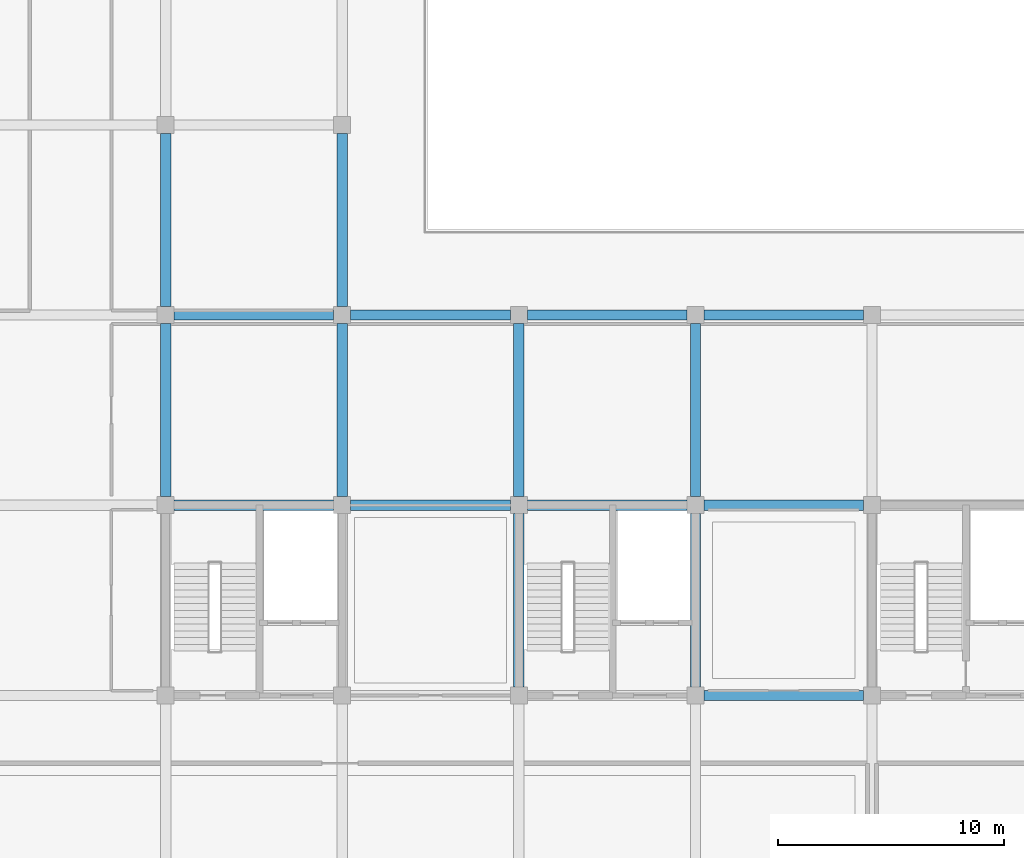
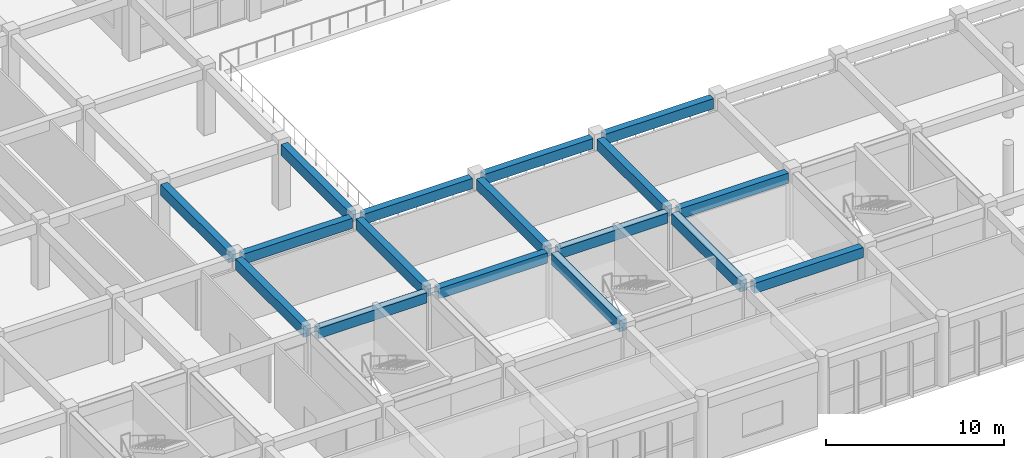
# One storey, part 29 of 167: 17 beams.
"""IFC4 building model written with IfcOpenShell, lengths in metres."""

from ifc_helpers import new_model, si_unit, direction, frame, origin, origin_2d, place, context, subcontext, project, spatial, rectangle, extrude, material, material_profile, profile_set, type_object, element, save


model = new_model("IFC4")

# Units and contexts
model_context = context("Model", 3, precision=1e-05, world=origin(), true_north=direction((0.0, 1.0)))
body_context = subcontext(model_context, "Body", "Model", "MODEL_VIEW")
ifc_project = project(units=[si_unit("LENGTHUNIT", "METRE"), si_unit("AREAUNIT", "SQUARE_METRE"), si_unit("VOLUMEUNIT", "CUBIC_METRE"), si_unit("PLANEANGLEUNIT", "RADIAN"), si_unit("MASSUNIT", "GRAM", prefix="KILO")], contexts=[model_context])

# Site, building, storey
site_placement = place(None, origin())
site = spatial("IfcSite", under=ifc_project, at=site_placement, CompositionType="ELEMENT")
building_placement = place(site_placement, origin())
building = spatial("IfcBuilding", under=site, at=building_placement, Name="Zizhar Promenade General Hospital", CompositionType="ELEMENT")
storey_placement = place(building_placement, frame((0.0, 0.0, 9.60009765625)))
storey = spatial("IfcBuildingStorey", under=building, at=storey_placement, Name="L02", CompositionType="ELEMENT", Elevation=9.60009765625)

# Beams
ifc_material_1 = material(Name="Concrete C35/45", Category="concrete")
ifc_material_profile_1 = material_profile(ifc_material_1, rectangle(XDim=0.449951171875, YDim=0.699951171875, at=origin_2d()))
ifc_profile_set_1 = profile_set([ifc_material_profile_1], Name="Concrete C35/45")
beam_type_1 = type_object("IfcBeamType", Name="BM-RC-450x700", PredefinedType="BEAM", material=ifc_profile_set_1)
for number, where, z_axis, x_axis, name in (
    (1, (62.77490234375, 16.800048828125, 4.119873046875), (1.0, 0.0, 0.0), (0.0, 1.0, 0.0), "Grid Beam X L02 (8-2)"),
    (2, (62.77490234375, 25.199951171875, 4.119873046875), (1.0, 0.0, 0.0), (0.0, 1.0, 0.0), "Grid Beam X L02 (8-3)"),
    (3, (70.574951171875, 16.800048828125, 4.119873046875), (1.0, 0.0, 0.0), (0.0, 1.0, 0.0), "Grid Beam X L02 (9-2)"),
    (4, (70.574951171875, 25.199951171875, 4.119873046875), (1.0, 0.0, 0.0), (0.0, 1.0, 0.0), "Grid Beam X L02 (9-3)"),
    (5, (78.375, 16.800048828125, 4.119873046875), (1.0, 0.0, 0.0), (0.0, 1.0, 0.0), "Grid Beam X L02 (10-2)"),
    (6, (78.375, 25.199951171875, 4.119873046875), (1.0, 0.0, 0.0), (0.0, 1.0, 0.0), "Grid Beam X L02 (10-3)"),
    (7, (86.175048828125, 8.39990234375, 4.119873046875), (1.0, 0.0, 0.0), (0.0, 1.0, 0.0), "Grid Beam X L02 (11-1)"),
    (8, (86.175048828125, 16.800048828125, 4.119873046875), (1.0, 0.0, 0.0), (0.0, 1.0, 0.0), "Grid Beam X L02 (11-2)"),
    (9, (86.175048828125, 25.199951171875, 4.119873046875), (1.0, 0.0, 0.0), (0.0, 1.0, 0.0), "Grid Beam X L02 (11-3)"),
):
    element("IfcBeam", number, at=place(storey_placement, frame(where, z_axis=z_axis, x_axis=x_axis)), inside=storey, type_object=beam_type_1, Name=name, PredefinedType="BEAM", context=body_context, shape_type="SweptSolid", body=[
        extrude(rectangle(XDim=0.449951171875, YDim=0.699951171875, at=origin_2d()), origin(), (0.0, 0.0, 1.0), 7.050048828125),
    ])
ifc_material_2 = material(Name="Concrete C35/45", Category="concrete")
ifc_material_profile_2 = material_profile(ifc_material_2, rectangle(XDim=0.449951171875, YDim=0.75, at=origin_2d()))
ifc_profile_set_2 = profile_set([ifc_material_profile_2], Name="Concrete C35/45")
beam_type_2 = type_object("IfcBeamType", Name="BM-RC-450x750", PredefinedType="BEAM", material=ifc_profile_set_2)
beam_1_placement = place(storey_placement, frame((62.39990234375, 17.175048828125, 4.094970703125), z_axis=(0.0, 1.0, 0.0), x_axis=(-1.0, 0.0, 0.0)))
element("IfcBeam", 10, at=beam_1_placement, inside=storey, type_object=beam_type_2, Name="Grid Beam Y L02 (8-2)", PredefinedType="BEAM", context=body_context, shape_type="SweptSolid", body=[
    extrude(rectangle(XDim=0.449951171875, YDim=0.75, at=origin_2d()), origin(), (0.0, 0.0, 1.0), 7.64990234375),
])
beam_2_placement = place(storey_placement, frame((62.39990234375, 25.574951171875, 4.094970703125), z_axis=(0.0, 1.0, 0.0), x_axis=(-1.0, 0.0, 0.0)))
element("IfcBeam", 11, at=beam_2_placement, inside=storey, type_object=beam_type_2, Name="Grid Beam Y L02 (8-3)", PredefinedType="BEAM", context=body_context, shape_type="SweptSolid", body=[
    extrude(rectangle(XDim=0.449951171875, YDim=0.75, at=origin_2d()), origin(), (0.0, 0.0, 1.0), 7.650146484375),
])
beam_3_placement = place(storey_placement, frame((70.199951171875, 17.175048828125, 4.094970703125), z_axis=(0.0, 1.0, 0.0), x_axis=(-1.0, 0.0, 0.0)))
element("IfcBeam", 12, at=beam_3_placement, inside=storey, type_object=beam_type_2, Name="Grid Beam Y L02 (9-2)", PredefinedType="BEAM", context=body_context, shape_type="SweptSolid", body=[
    extrude(rectangle(XDim=0.449951171875, YDim=0.75, at=origin_2d()), origin(), (0.0, 0.0, 1.0), 7.64990234375),
])
for number, where, z_axis, x_axis, name in (
    (13, (70.199951171875, 25.574951171875, 4.094970703125), (0.0, 1.0, 0.0), (-1.0, 0.0, 0.0), "Grid Beam Y L02 (9-3)"),
    (14, (78.0, 8.77490234375, 4.094970703125), (0.0, 1.0, 0.0), (-1.0, 0.0, 0.0), "Grid Beam Y L02 (10-1)"),
):
    element("IfcBeam", number, at=place(storey_placement, frame(where, z_axis=z_axis, x_axis=x_axis)), inside=storey, type_object=beam_type_2, Name=name, PredefinedType="BEAM", context=body_context, shape_type="SweptSolid", body=[
        extrude(rectangle(XDim=0.449951171875, YDim=0.75, at=origin_2d()), origin(), (0.0, 0.0, 1.0), 7.650146484375),
    ])
beam_4_placement = place(storey_placement, frame((78.0, 17.175048828125, 4.094970703125), z_axis=(0.0, 1.0, 0.0), x_axis=(-1.0, 0.0, 0.0)))
element("IfcBeam", 15, at=beam_4_placement, inside=storey, type_object=beam_type_2, Name="Grid Beam Y L02 (10-2)", PredefinedType="BEAM", context=body_context, shape_type="SweptSolid", body=[
    extrude(rectangle(XDim=0.449951171875, YDim=0.75, at=origin_2d()), origin(), (0.0, 0.0, 1.0), 7.64990234375),
])
beam_5_placement = place(storey_placement, frame((85.800048828125, 8.77490234375, 4.094970703125), z_axis=(0.0, 1.0, 0.0), x_axis=(-1.0, 0.0, 0.0)))
element("IfcBeam", 16, at=beam_5_placement, inside=storey, type_object=beam_type_2, Name="Grid Beam Y L02 (11-1)", PredefinedType="BEAM", context=body_context, shape_type="SweptSolid", body=[
    extrude(rectangle(XDim=0.449951171875, YDim=0.75, at=origin_2d()), origin(), (0.0, 0.0, 1.0), 7.650146484375),
])
beam_6_placement = place(storey_placement, frame((85.800048828125, 17.175048828125, 4.094970703125), z_axis=(0.0, 1.0, 0.0), x_axis=(-1.0, 0.0, 0.0)))
element("IfcBeam", 17, at=beam_6_placement, inside=storey, type_object=beam_type_2, Name="Grid Beam Y L02 (11-2)", PredefinedType="BEAM", context=body_context, shape_type="SweptSolid", body=[
    extrude(rectangle(XDim=0.449951171875, YDim=0.75, at=origin_2d()), origin(), (0.0, 0.0, 1.0), 7.64990234375),
])

save(model, "model.ifc")
